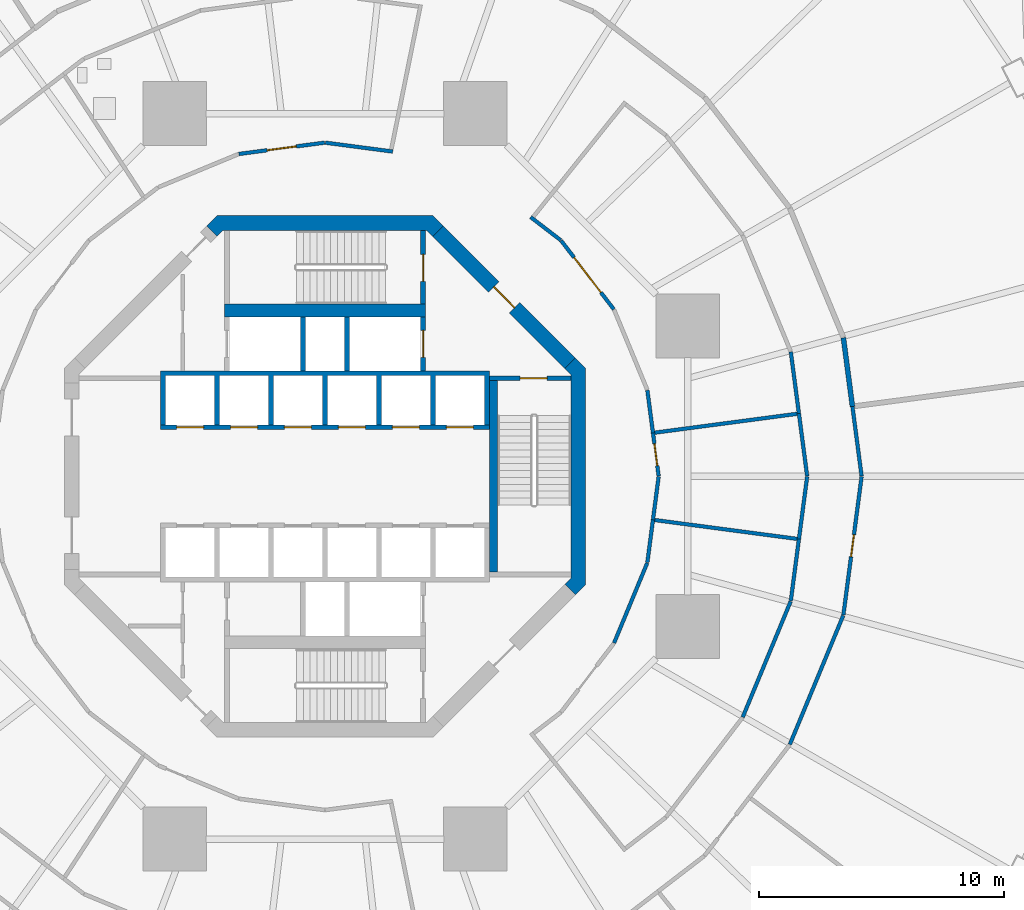
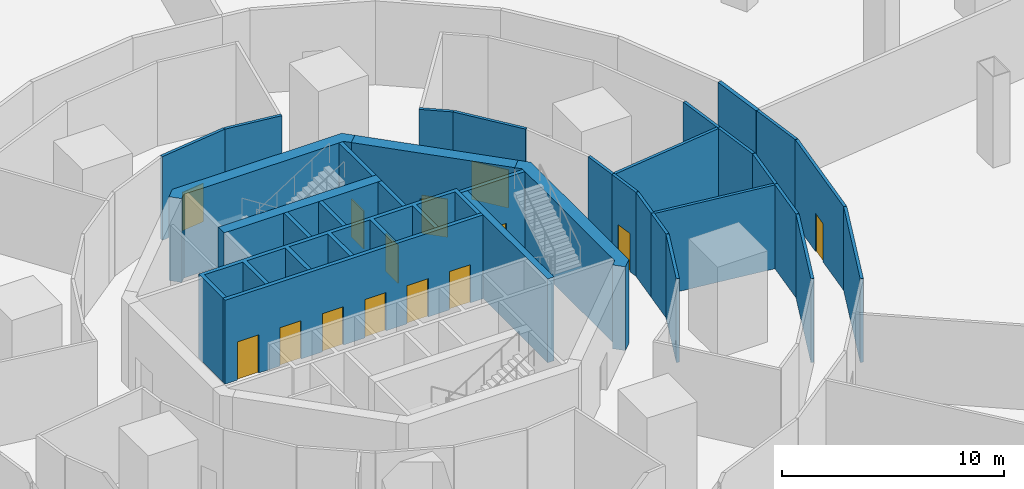
# One storey, part 9 of 14: 32 walls, 14 doors, 14 openings.
"""IFC4 building model written with IfcOpenShell, lengths in metres."""

from ifc_helpers import new_model, si_unit, direction, frame, frame_2d, origin, place, context, subcontext, project, spatial, polyline, rectangle, outline, extrude, material, layer, layer_set, type_object, element, fill, save


model = new_model("IFC4")

# Units and contexts
model_context = context("Model", 3, precision=1e-05, world=origin(), true_north=direction((0.0, 1.0)))
body_context = subcontext(model_context, "Body", "Model", "MODEL_VIEW")
ifc_project = project(units=[si_unit("LENGTHUNIT", "METRE"), si_unit("AREAUNIT", "SQUARE_METRE"), si_unit("VOLUMEUNIT", "CUBIC_METRE"), si_unit("PLANEANGLEUNIT", "RADIAN"), si_unit("MASSUNIT", "GRAM", prefix="KILO")], contexts=[model_context])

# Site, building, storey
site_placement = place(None, origin())
site = spatial("IfcSite", under=ifc_project, at=site_placement, CompositionType="ELEMENT")
building_placement = place(site_placement, origin())
building = spatial("IfcBuilding", under=site, at=building_placement, Name="Nagisa Residences", CompositionType="ELEMENT")
storey_placement = place(building_placement, frame((0.0, 0.0, -5.0)))
storey = spatial("IfcBuildingStorey", under=building, at=storey_placement, Name="B1", CompositionType="ELEMENT", Elevation=-5.0)

# Wall, opening, door
ifc_material_1 = material(Name="Concrete C60", Category="concrete")
ifc_layer_1 = layer(ifc_material_1, 0.60009765625)
ifc_layer_set_1 = layer_set([ifc_layer_1], Name="Core shear wall 600")
wall_type_1 = type_object("IfcWallType", Name="Core shear wall 600", PredefinedType="SHEAR", material=ifc_layer_set_1)
wall_1_placement = place(storey_placement, frame((9.98828125, 4.613037109375, 0.0), z_axis=(0.0, 0.0, 1.0), x_axis=(-0.707106781187, 0.707106781187, 0.0)))
wall_1 = element("IfcWall", 1, at=wall_1_placement, inside=storey, type_object=wall_type_1, Name="wall:B1:core:flat1", PredefinedType="SHEAR", context=body_context, shape_type="SweptSolid", body=[
    extrude(rectangle(XDim=7.601806640625, YDim=0.60009765625, at=frame_2d((3.80078125, 0.0))), origin(), (0.0, 0.0, 1.0), 4.60009765625),
])
opening_1_placement = place(wall_1_placement, frame((3.200927734375, 0.0, 0.0)))
opening_1 = element("IfcOpeningElement", 2, at=opening_1_placement, cuts=wall_1, Name="Opening B1-C23", PredefinedType="OPENING", context=body_context, shape_type="SweptSolid", body=[
    extrude(rectangle(XDim=1.199951171875, YDim=2.10009765625, at=frame_2d((0.60009765625, 1.050048828125))), frame((0.0, 0.31005859375, 0.0), z_axis=(0.0, -1.0, 0.0), x_axis=(1.0, 0.0, 0.0)), (0.0, 0.0, 1.0), 0.6201171875),
])
ifc_material_2 = material(Name="Steel fire door", Category="steel")
door_type_1 = type_object("IfcDoorType", Name="Fire door EI60 1200x2100 single swing", OperationType="NOTDEFINED", PredefinedType="DOOR", material=ifc_material_2)
door_1_placement = place(opening_1_placement, origin())
door_1 = element("IfcDoor", 3, at=door_1_placement, inside=storey, type_object=door_type_1, Name="Firefighting lobby 1 door B1", OperationType="SINGLE_SWING_RIGHT", OverallHeight=2.10009765625, OverallWidth=1.199951171875, PredefinedType="DOOR", context=body_context, shape_type="SweptSolid", body=[
    extrude(rectangle(XDim=1.199951171875, YDim=2.10009765625, at=frame_2d((0.60009765625, 1.050048828125))), frame((0.0, 0.02490234375, 0.0), z_axis=(0.0, -1.0, 0.0), x_axis=(1.0, 0.0, 0.0)), (0.0, 0.0, 1.0), 0.050048828125),
])
fill(opening_1, door_1)

# Walls
wall_2_placement = place(storey_placement, origin())
element("IfcWall", 4, at=wall_2_placement, inside=storey, type_object=wall_type_1, Name="wall:B1:core:flat2", PredefinedType="SHEAR", context=body_context, shape_type="SweptSolid", body=[
    extrude(outline(polyline([(-4.15234375, 10.024658203125), (-4.40087890625, 9.776123046875), (-4.8251953125, 10.200439453125), (-4.40087890625, 10.62451171875), (4.40087890625, 10.62451171875), (4.8251953125, 10.200439453125), (4.40087890625, 9.776123046875), (4.15234375, 10.024658203125), (-4.15234375, 10.024658203125)])), origin(), (0.0, 0.0, 1.0), 4.60009765625),
])
wall_3_placement = place(storey_placement, origin())
element("IfcWall", 5, at=wall_3_placement, inside=storey, type_object=wall_type_1, Name="wall:B1:core:flat0", PredefinedType="SHEAR", context=body_context, shape_type="SweptSolid", body=[
    extrude(outline(polyline([(9.776123046875, -4.40087890625), (10.024658203125, -4.15234375), (10.024658203125, -3.801025390625), (10.024658203125, 4.15234375), (9.776123046875, 4.40087890625), (10.200439453125, 4.8251953125), (10.62451171875, 4.40087890625), (10.62451171875, -4.40087890625), (10.200439453125, -4.8251953125), (9.776123046875, -4.40087890625)])), origin(), (0.0, 0.0, 1.0), 4.60009765625),
])

# Wall, opening, door
ifc_material_3 = material(Name="Concrete C60", Category="concrete")
ifc_layer_2 = layer(ifc_material_3, 0.199951171875)
ifc_layer_set_2 = layer_set([ifc_layer_2], Name="Lift shaft wall 200")
wall_type_2 = type_object("IfcWallType", Name="Lift shaft wall 200", PredefinedType="SOLIDWALL", material=ifc_layer_set_2)
wall_4_placement = place(storey_placement, frame((4.0, 4.300048828125, 0.0), z_axis=(0.0, 0.0, 1.0), x_axis=(0.0, 1.0, 0.0)))
wall_4 = element("IfcWall", 6, at=wall_4_placement, inside=storey, type_object=wall_type_2, Name="wall:B1:Nb3", PredefinedType="SOLIDWALL", context=body_context, shape_type="SweptSolid", body=[
    extrude(rectangle(XDim=2.199951171875, YDim=0.199951171875, at=frame_2d((1.10009765625, 0.0))), origin(), (0.0, 0.0, 1.0), 4.60009765625),
])
opening_2_placement = place(wall_4_placement, frame((0.550048828125, 0.0, 0.0)))
opening_2 = element("IfcOpeningElement", 7, at=opening_2_placement, cuts=wall_4, Name="Opening B1-C13", PredefinedType="OPENING", context=body_context, shape_type="SweptSolid", body=[
    extrude(rectangle(XDim=1.10009765625, YDim=2.10009765625, at=frame_2d((0.550048828125, 1.050048828125))), frame((0.0, 0.10986328125, 0.0), z_axis=(0.0, -1.0, 0.0), x_axis=(1.0, 0.0, 0.0)), (0.0, 0.0, 1.0), 0.219970703125),
])
ifc_material_4 = material(Name="Stainless steel", Category="steel")
door_type_2 = type_object("IfcDoorType", Name="Lift landing door 1100x2100", OperationType="DOUBLE_DOOR_SLIDING", PredefinedType="DOOR", material=ifc_material_4)
door_2_placement = place(opening_2_placement, origin())
door_2 = element("IfcDoor", 8, at=door_2_placement, inside=storey, type_object=door_type_2, Name="Landing door FL1 B1", OperationType="DOUBLE_DOOR_SLIDING", OverallHeight=2.10009765625, OverallWidth=1.10009765625, PredefinedType="DOOR", context=body_context, shape_type="SweptSolid", body=[
    extrude(rectangle(XDim=1.10009765625, YDim=2.10009765625, at=frame_2d((0.550048828125, 1.050048828125))), frame((0.0, 0.02490234375, 0.0), z_axis=(0.0, -1.0, 0.0), x_axis=(1.0, 0.0, 0.0)), (0.0, 0.0, 1.0), 0.050048828125),
])
fill(opening_2, door_2)

# Wall, openings, doors
wall_5_placement = place(storey_placement, frame((-6.699951171875, 2.0, 0.0), z_axis=(0.0, 0.0, 1.0), x_axis=(1.0, 0.0, 0.0)))
wall_5 = element("IfcWall", 9, at=wall_5_placement, inside=storey, type_object=wall_type_2, Name="wall:B1:Nfront", PredefinedType="SOLIDWALL", context=body_context, shape_type="SweptSolid", body=[
    extrude(rectangle(XDim=13.39990234375, YDim=0.199951171875, at=frame_2d((6.699951171875, 0.0))), origin(), (0.0, 0.0, 1.0), 4.60009765625),
])
opening_3_placement = place(wall_5_placement, frame((0.64990234375, 0.0, 0.0)))
opening_3 = element("IfcOpeningElement", 10, at=opening_3_placement, cuts=wall_5, Name="Opening B1-C01", PredefinedType="OPENING", context=body_context, shape_type="SweptSolid", body=[
    extrude(rectangle(XDim=1.10009765625, YDim=2.10009765625, at=frame_2d((0.550048828125, 1.050048828125))), frame((0.0, 0.10986328125, 0.0), z_axis=(0.0, -1.0, 0.0), x_axis=(1.0, 0.0, 0.0)), (0.0, 0.0, 1.0), 0.219970703125),
])
opening_4_placement = place(wall_5_placement, frame((2.85009765625, 0.0, 0.0)))
opening_4 = element("IfcOpeningElement", 11, at=opening_4_placement, cuts=wall_5, Name="Opening B1-C02", PredefinedType="OPENING", context=body_context, shape_type="SweptSolid", body=[
    extrude(rectangle(XDim=1.10009765625, YDim=2.10009765625, at=frame_2d((0.550048828125, 1.050048828125))), frame((0.0, 0.10986328125, 0.0), z_axis=(0.0, -1.0, 0.0), x_axis=(1.0, 0.0, 0.0)), (0.0, 0.0, 1.0), 0.219970703125),
])
opening_5_placement = place(wall_5_placement, frame((5.050048828125, 0.0, 0.0)))
opening_5 = element("IfcOpeningElement", 12, at=opening_5_placement, cuts=wall_5, Name="Opening B1-C03", PredefinedType="OPENING", context=body_context, shape_type="SweptSolid", body=[
    extrude(rectangle(XDim=1.10009765625, YDim=2.10009765625, at=frame_2d((0.550048828125, 1.050048828125))), frame((0.0, 0.10986328125, 0.0), z_axis=(0.0, -1.0, 0.0), x_axis=(1.0, 0.0, 0.0)), (0.0, 0.0, 1.0), 0.219970703125),
])
opening_6_placement = place(wall_5_placement, frame((7.25, 0.0, 0.0)))
opening_6 = element("IfcOpeningElement", 13, at=opening_6_placement, cuts=wall_5, Name="Opening B1-C04", PredefinedType="OPENING", context=body_context, shape_type="SweptSolid", body=[
    extrude(rectangle(XDim=1.10009765625, YDim=2.10009765625, at=frame_2d((0.550048828125, 1.050048828125))), frame((0.0, 0.10986328125, 0.0), z_axis=(0.0, -1.0, 0.0), x_axis=(1.0, 0.0, 0.0)), (0.0, 0.0, 1.0), 0.219970703125),
])
opening_7_placement = place(wall_5_placement, frame((9.449951171875, 0.0, 0.0)))
opening_7 = element("IfcOpeningElement", 14, at=opening_7_placement, cuts=wall_5, Name="Opening B1-C05", PredefinedType="OPENING", context=body_context, shape_type="SweptSolid", body=[
    extrude(rectangle(XDim=1.10009765625, YDim=2.10009765625, at=frame_2d((0.550048828125, 1.050048828125))), frame((0.0, 0.10986328125, 0.0), z_axis=(0.0, -1.0, 0.0), x_axis=(1.0, 0.0, 0.0)), (0.0, 0.0, 1.0), 0.219970703125),
])
opening_8_placement = place(wall_5_placement, frame((11.64990234375, 0.0, 0.0)))
opening_8 = element("IfcOpeningElement", 15, at=opening_8_placement, cuts=wall_5, Name="Opening B1-C06", PredefinedType="OPENING", context=body_context, shape_type="SweptSolid", body=[
    extrude(rectangle(XDim=1.10009765625, YDim=2.10009765625, at=frame_2d((0.550048828125, 1.050048828125))), frame((0.0, 0.10986328125, 0.0), z_axis=(0.0, -1.0, 0.0), x_axis=(1.0, 0.0, 0.0)), (0.0, 0.0, 1.0), 0.219970703125),
])
door_3_placement = place(opening_3_placement, origin())
door_3 = element("IfcDoor", 16, at=door_3_placement, inside=storey, type_object=door_type_2, Name="Landing door A1 B1", OperationType="DOUBLE_DOOR_SLIDING", OverallHeight=2.10009765625, OverallWidth=1.10009765625, PredefinedType="DOOR", context=body_context, shape_type="SweptSolid", body=[
    extrude(rectangle(XDim=1.10009765625, YDim=2.10009765625, at=frame_2d((0.550048828125, 1.050048828125))), frame((0.0, 0.02490234375, 0.0), z_axis=(0.0, -1.0, 0.0), x_axis=(1.0, 0.0, 0.0)), (0.0, 0.0, 1.0), 0.050048828125),
])
fill(opening_3, door_3)
door_4_placement = place(opening_4_placement, origin())
door_4 = element("IfcDoor", 17, at=door_4_placement, inside=storey, type_object=door_type_2, Name="Landing door A2 B1", OperationType="DOUBLE_DOOR_SLIDING", OverallHeight=2.10009765625, OverallWidth=1.10009765625, PredefinedType="DOOR", context=body_context, shape_type="SweptSolid", body=[
    extrude(rectangle(XDim=1.10009765625, YDim=2.10009765625, at=frame_2d((0.550048828125, 1.050048828125))), frame((0.0, 0.02490234375, 0.0), z_axis=(0.0, -1.0, 0.0), x_axis=(1.0, 0.0, 0.0)), (0.0, 0.0, 1.0), 0.050048828125),
])
fill(opening_4, door_4)
door_5_placement = place(opening_5_placement, origin())
door_5 = element("IfcDoor", 18, at=door_5_placement, inside=storey, type_object=door_type_2, Name="Landing door A3 B1", OperationType="DOUBLE_DOOR_SLIDING", OverallHeight=2.10009765625, OverallWidth=1.10009765625, PredefinedType="DOOR", context=body_context, shape_type="SweptSolid", body=[
    extrude(rectangle(XDim=1.10009765625, YDim=2.10009765625, at=frame_2d((0.550048828125, 1.050048828125))), frame((0.0, 0.02490234375, 0.0), z_axis=(0.0, -1.0, 0.0), x_axis=(1.0, 0.0, 0.0)), (0.0, 0.0, 1.0), 0.050048828125),
])
fill(opening_5, door_5)
door_6_placement = place(opening_6_placement, origin())
door_6 = element("IfcDoor", 19, at=door_6_placement, inside=storey, type_object=door_type_2, Name="Landing door B1 B1", OperationType="DOUBLE_DOOR_SLIDING", OverallHeight=2.10009765625, OverallWidth=1.10009765625, PredefinedType="DOOR", context=body_context, shape_type="SweptSolid", body=[
    extrude(rectangle(XDim=1.10009765625, YDim=2.10009765625, at=frame_2d((0.550048828125, 1.050048828125))), frame((0.0, 0.02490234375, 0.0), z_axis=(0.0, -1.0, 0.0), x_axis=(1.0, 0.0, 0.0)), (0.0, 0.0, 1.0), 0.050048828125),
])
fill(opening_6, door_6)
door_7_placement = place(opening_7_placement, origin())
door_7 = element("IfcDoor", 20, at=door_7_placement, inside=storey, type_object=door_type_2, Name="Landing door B2 B1", OperationType="DOUBLE_DOOR_SLIDING", OverallHeight=2.10009765625, OverallWidth=1.10009765625, PredefinedType="DOOR", context=body_context, shape_type="SweptSolid", body=[
    extrude(rectangle(XDim=1.10009765625, YDim=2.10009765625, at=frame_2d((0.550048828125, 1.050048828125))), frame((0.0, 0.02490234375, 0.0), z_axis=(0.0, -1.0, 0.0), x_axis=(1.0, 0.0, 0.0)), (0.0, 0.0, 1.0), 0.050048828125),
])
fill(opening_7, door_7)
door_8_placement = place(opening_8_placement, origin())
door_8 = element("IfcDoor", 21, at=door_8_placement, inside=storey, type_object=door_type_2, Name="Landing door C1 B1", OperationType="DOUBLE_DOOR_SLIDING", OverallHeight=2.10009765625, OverallWidth=1.10009765625, PredefinedType="DOOR", context=body_context, shape_type="SweptSolid", body=[
    extrude(rectangle(XDim=1.10009765625, YDim=2.10009765625, at=frame_2d((0.550048828125, 1.050048828125))), frame((0.0, 0.02490234375, 0.0), z_axis=(0.0, -1.0, 0.0), x_axis=(1.0, 0.0, 0.0)), (0.0, 0.0, 1.0), 0.050048828125),
])
fill(opening_8, door_8)

# Walls
for number, where, z_axis, x_axis, name in (
    (22, (-0.89990234375, 4.300048828125, 0.0), (0.0, 0.0, 1.0), (0.0, 1.0, 0.0), "wall:B1:Nb1"),
    (23, (0.89990234375, 4.300048828125, 0.0), (0.0, 0.0, 1.0), (0.0, 1.0, 0.0), "wall:B1:Nb2"),
):
    element("IfcWall", number, at=place(storey_placement, frame(where, z_axis=z_axis, x_axis=x_axis)), inside=storey, type_object=wall_type_2, Name=name, PredefinedType="SOLIDWALL", context=body_context, shape_type="SweptSolid", body=[
        extrude(rectangle(XDim=2.199951171875, YDim=0.199951171875, at=frame_2d((1.10009765625, 0.0))), origin(), (0.0, 0.0, 1.0), 4.60009765625),
    ])
wall_6_placement = place(storey_placement, origin())
element("IfcWall", 24, at=wall_6_placement, inside=storey, type_object=wall_type_2, Name="wall:B1:Nback", PredefinedType="SOLIDWALL", context=body_context, shape_type="SweptSolid", body=[
    extrude(outline(polyline([(-6.5, 2.10009765625), (-6.699951171875, 2.10009765625), (-6.699951171875, 4.300048828125), (6.699951171875, 4.300048828125), (6.699951171875, 2.10009765625), (6.5, 2.10009765625), (6.5, 4.10009765625), (4.5, 4.10009765625), (4.5, 2.10009765625), (4.300048828125, 2.10009765625), (4.300048828125, 4.10009765625), (2.300048828125, 4.10009765625), (2.300048828125, 2.10009765625), (2.10009765625, 2.10009765625), (2.10009765625, 4.10009765625), (0.10009765625, 4.10009765625), (0.10009765625, 2.10009765625), (-0.10009765625, 2.10009765625), (-0.10009765625, 4.10009765625), (-2.10009765625, 4.10009765625), (-2.10009765625, 2.10009765625), (-2.300048828125, 2.10009765625), (-2.300048828125, 4.10009765625), (-4.300048828125, 4.10009765625), (-4.300048828125, 2.10009765625), (-4.5, 2.10009765625), (-4.5, 4.10009765625), (-6.5, 4.10009765625), (-6.5, 2.10009765625)])), origin(), (0.0, 0.0, 1.0), 4.60009765625),
])
ifc_material_5 = material(Name="Gypsum board on steel studs", Category="steel")
ifc_layer_3 = layer(ifc_material_5, 0.199951171875)
ifc_layer_set_3 = layer_set([ifc_layer_3], Name="Plant room wall EI120 200")
wall_type_3 = type_object("IfcWallType", Name="Plant room wall EI120 200", PredefinedType="PARTITIONING", material=ifc_layer_set_3)
wall_7_placement = place(storey_placement, frame((21.12744140625, 5.6455078125, 0.0), z_axis=(0.0, 0.0, 1.0), x_axis=(0.130526113373, -0.991444871754, 0.0)))
element("IfcWall", 25, at=wall_7_placement, inside=storey, type_object=wall_type_3, Name="wall:B1:am098", PredefinedType="PARTITIONING", context=body_context, shape_type="SweptSolid", body=[
    extrude(rectangle(XDim=2.822509765625, YDim=0.199951171875, at=frame_2d((1.4111328125, 0.0))), origin(), (0.0, 0.0, 1.0), 4.60009765625),
])

# Wall, opening, door
ifc_material_6 = material(Name="Gypsum board on steel studs", Category="steel")
ifc_layer_4 = layer(ifc_material_6, 0.14990234375)
ifc_layer_set_4 = layer_set([ifc_layer_4], Name="Room partition EI60 150")
wall_type_4 = type_object("IfcWallType", Name="Room partition EI60 150", PredefinedType="PARTITIONING", material=ifc_layer_set_4)
wall_8_placement = place(storey_placement, frame((-3.508056640625, 13.13818359375, 0.0), z_axis=(0.0, 0.0, 1.0), x_axis=(0.991448403586, 0.130499283623, 0.0)))
wall_8 = element("IfcWall", 26, at=wall_8_placement, inside=storey, type_object=wall_type_4, Name="wall:B1:am042", PredefinedType="PARTITIONING", context=body_context, shape_type="SweptSolid", body=[
    extrude(rectangle(XDim=3.526611328125, YDim=0.14990234375, at=frame_2d((1.76318359375, 0.0))), origin(), (0.0, 0.0, 1.0), 4.60009765625),
])
opening_9_placement = place(wall_8_placement, frame((1.163330078125, 0.0, 0.0)))
opening_9 = element("IfcOpeningElement", 27, at=opening_9_placement, cuts=wall_8, Name="Opening B1-A02", PredefinedType="OPENING", context=body_context, shape_type="SweptSolid", body=[
    extrude(rectangle(XDim=1.199951171875, YDim=2.10009765625, at=frame_2d((0.60009765625, 1.050048828125))), frame((0.0, 0.0849609375, 0.0), z_axis=(0.0, -1.0, 0.0), x_axis=(1.0, 0.0, 0.0)), (0.0, 0.0, 1.0), 0.169921875),
])
ifc_material_7 = material(Name="Steel fire door", Category="steel")
door_type_3 = type_object("IfcDoorType", Name="Fire door EI30 1200x2100 single swing", OperationType="NOTDEFINED", PredefinedType="DOOR", material=ifc_material_7)
door_9_placement = place(opening_9_placement, frame((1.199951171875, 0.0, 0.0), x_axis=(-1.0, 0.0, 0.0)))
door_9 = element("IfcDoor", 28, at=door_9_placement, inside=storey, type_object=door_type_3, Name="Women's changing rooms door", OperationType="SINGLE_SWING_RIGHT", OverallHeight=2.10009765625, OverallWidth=1.199951171875, PredefinedType="DOOR", context=body_context, shape_type="SweptSolid", body=[
    extrude(rectangle(XDim=1.199951171875, YDim=2.10009765625, at=frame_2d((0.60009765625, 1.050048828125))), frame((0.0, 0.02490234375, 0.0), z_axis=(0.0, -1.0, 0.0), x_axis=(1.0, 0.0, 0.0)), (0.0, 0.0, 1.0), 0.050048828125),
])
fill(opening_9, door_9)

# Walls
wall_9_placement = place(storey_placement, frame((0.01171875, 13.598388671875, 0.0), z_axis=(0.0, 0.0, 1.0), x_axis=(0.991448603925, -0.130497761571, 0.0)))
element("IfcWall", 29, at=wall_9_placement, inside=storey, type_object=wall_type_4, Name="wall:B1:am046", PredefinedType="PARTITIONING", context=body_context, shape_type="SweptSolid", body=[
    extrude(rectangle(XDim=2.7744140625, YDim=0.14990234375, at=frame_2d((1.38720703125, 0.0))), origin(), (0.0, 0.0, 1.0), 4.60009765625),
])
wall_10_placement = place(storey_placement, frame((8.38232421875, 10.563720703125, 0.0), z_axis=(0.0, 0.0, 1.0), x_axis=(0.793405235736, -0.608693791578, 0.0)))
element("IfcWall", 30, at=wall_10_placement, inside=storey, type_object=wall_type_4, Name="wall:B1:am054", PredefinedType="PARTITIONING", context=body_context, shape_type="SweptSolid", body=[
    extrude(rectangle(XDim=1.543701171875, YDim=0.14990234375, at=frame_2d((0.77197265625, 0.0))), origin(), (0.0, 0.0, 1.0), 4.60009765625),
])

# Wall, opening, door
wall_11_placement = place(storey_placement, frame((9.6240234375, 9.607177734375, 0.0), z_axis=(0.0, 0.0, 1.0), x_axis=(0.608736710054, -0.793372307201, 0.0)))
wall_11 = element("IfcWall", 31, at=wall_11_placement, inside=storey, type_object=wall_type_4, Name="wall:B1:am056", PredefinedType="PARTITIONING", context=body_context, shape_type="SweptSolid", body=[
    extrude(rectangle(XDim=3.526611328125, YDim=0.14990234375, at=frame_2d((1.76318359375, 0.0))), origin(), (0.0, 0.0, 1.0), 4.60009765625),
])
opening_10_placement = place(wall_11_placement, frame((0.86328125, 0.0, 0.0)))
opening_10 = element("IfcOpeningElement", 32, at=opening_10_placement, cuts=wall_11, Name="Opening B1-A01", PredefinedType="OPENING", context=body_context, shape_type="SweptSolid", body=[
    extrude(rectangle(XDim=1.800048828125, YDim=2.10009765625, at=frame_2d((0.89990234375, 1.050048828125))), frame((0.0, 0.0849609375, 0.0), z_axis=(0.0, -1.0, 0.0), x_axis=(1.0, 0.0, 0.0)), (0.0, 0.0, 1.0), 0.169921875),
])
ifc_material_8 = material(Name="Steel fire door", Category="steel")
door_type_4 = type_object("IfcDoorType", Name="Fire door EI30 1800x2100 double door single swing", OperationType="DOUBLE_DOOR_SINGLE_SWING", PredefinedType="DOOR", material=ifc_material_8)
door_10_placement = place(opening_10_placement, origin())
door_10 = element("IfcDoor", 33, at=door_10_placement, inside=storey, type_object=door_type_4, Name="Hydrotherapy suite door", OperationType="DOUBLE_DOOR_SINGLE_SWING", OverallHeight=2.10009765625, OverallWidth=1.800048828125, PredefinedType="DOOR", context=body_context, shape_type="SweptSolid", body=[
    extrude(rectangle(XDim=1.800048828125, YDim=2.10009765625, at=frame_2d((0.89990234375, 1.050048828125))), frame((0.0, 0.02490234375, 0.0), z_axis=(0.0, -1.0, 0.0), x_axis=(1.0, 0.0, 0.0)), (0.0, 0.0, 1.0), 0.050048828125),
])
fill(opening_10, door_10)

# Walls
wall_12_placement = place(storey_placement, frame((13.132080078125, -3.53076171875, 0.0), z_axis=(0.0, 0.0, 1.0), x_axis=(-0.382677866108, -0.923881838111, 0.0)))
element("IfcWall", 34, at=wall_12_placement, inside=storey, type_object=wall_type_4, Name="wall:B1:am062", PredefinedType="PARTITIONING", context=body_context, shape_type="SweptSolid", body=[
    extrude(rectangle(XDim=3.52685546875, YDim=0.14990234375, at=frame_2d((1.763427734375, 0.0))), origin(), (0.0, 0.0, 1.0), 4.60009765625),
])
for number, where, z_axis, x_axis, name in (
    (35, (13.13818359375, 3.508056640625, 0.0), (0.0, 0.0, 1.0), (0.130530187198, -0.991444335417, 0.0), "wall:B1:am063"),
    (36, (13.366943359375, -1.7705078125, 0.0), (0.0, 0.0, 1.0), (-0.130530187198, -0.991444335417, 0.0), "wall:B1:am064"),
):
    element("IfcWall", number, at=place(storey_placement, frame(where, z_axis=z_axis, x_axis=x_axis)), inside=storey, type_object=wall_type_4, Name=name, PredefinedType="PARTITIONING", context=body_context, shape_type="SweptSolid", body=[
        extrude(rectangle(XDim=1.75244140625, YDim=0.14990234375, at=frame_2d((0.876220703125, 0.0))), origin(), (0.0, 0.0, 1.0), 4.60009765625),
    ])
wall_13_placement = place(storey_placement, frame((13.441162109375, -1.7802734375, 0.0), z_axis=(0.0, 0.0, 1.0), x_axis=(0.991338713347, -0.13132994868, 0.0)))
element("IfcWall", 37, at=wall_13_placement, inside=storey, type_object=wall_type_4, Name="wall:B1:am065", PredefinedType="PARTITIONING", context=body_context, shape_type="SweptSolid", body=[
    extrude(rectangle(XDim=5.850341796875, YDim=0.14990234375, at=frame_2d((2.92529296875, 0.0))), origin(), (0.0, 0.0, 1.0), 4.60009765625),
])

# Wall, opening, door
wall_14_placement = place(storey_placement, frame((13.366943359375, 1.7705078125, 0.0), z_axis=(0.0, 0.0, 1.0), x_axis=(0.130468752885, -0.991452421713, 0.0)))
wall_14 = element("IfcWall", 38, at=wall_14_placement, inside=storey, type_object=wall_type_4, Name="wall:B1:am066", PredefinedType="PARTITIONING", context=body_context, shape_type="SweptSolid", body=[
    extrude(rectangle(XDim=1.77392578125, YDim=0.14990234375, at=frame_2d((0.886962890625, 0.0))), origin(), (0.0, 0.0, 1.0), 4.60009765625),
])
opening_11_placement = place(wall_14_placement, frame((0.44287109375, 0.0, 0.0)))
opening_11 = element("IfcOpeningElement", 39, at=opening_11_placement, cuts=wall_14, Name="Opening B1-A07", PredefinedType="OPENING", context=body_context, shape_type="SweptSolid", body=[
    extrude(rectangle(XDim=0.89990234375, YDim=2.10009765625, at=frame_2d((0.449951171875, 1.050048828125))), frame((0.0, 0.0849609375, 0.0), z_axis=(0.0, -1.0, 0.0), x_axis=(1.0, 0.0, 0.0)), (0.0, 0.0, 1.0), 0.169921875),
])
ifc_material_9 = material(Name="Steel fire door", Category="steel")
door_type_5 = type_object("IfcDoorType", Name="Fire door EI30 900x2100 single swing", OperationType="NOTDEFINED", PredefinedType="DOOR", material=ifc_material_9)
door_11_placement = place(opening_11_placement, origin())
door_11 = element("IfcDoor", 40, at=door_11_placement, inside=storey, type_object=door_type_5, Name="Therapist staff room door", OperationType="SINGLE_SWING_RIGHT", OverallHeight=2.10009765625, OverallWidth=0.89990234375, PredefinedType="DOOR", context=body_context, shape_type="SweptSolid", body=[
    extrude(rectangle(XDim=0.89990234375, YDim=2.10009765625, at=frame_2d((0.449951171875, 1.050048828125))), frame((0.0, 0.02490234375, 0.0), z_axis=(0.0, -1.0, 0.0), x_axis=(1.0, 0.0, 0.0)), (0.0, 0.0, 1.0), 0.050048828125),
])
fill(opening_11, door_11)

# Walls
wall_15_placement = place(storey_placement, frame((13.598388671875, -0.01171875, 0.0), z_axis=(0.0, 0.0, 1.0), x_axis=(-0.130468752885, -0.991452421713, 0.0)))
element("IfcWall", 41, at=wall_15_placement, inside=storey, type_object=wall_type_4, Name="wall:B1:am069", PredefinedType="PARTITIONING", context=body_context, shape_type="SweptSolid", body=[
    extrude(rectangle(XDim=1.77392578125, YDim=0.14990234375, at=frame_2d((0.886962890625, 0.0))), origin(), (0.0, 0.0, 1.0), 4.60009765625),
])
wall_16_placement = place(storey_placement, frame((17.0234375, -9.81494140625, 0.0), z_axis=(0.0, 0.0, 1.0), x_axis=(0.382672704618, 0.923883976017, 0.0)))
element("IfcWall", 42, at=wall_16_placement, inside=storey, type_object=wall_type_4, Name="wall:B1:am073", PredefinedType="PARTITIONING", context=body_context, shape_type="SweptSolid", body=[
    extrude(rectangle(XDim=5.1064453125, YDim=0.14990234375, at=frame_2d((2.55322265625, 0.0))), origin(), (0.0, 0.0, 1.0), 4.60009765625),
])
wall_17_placement = place(storey_placement, frame((18.983642578125, -5.074462890625, 0.0), z_axis=(0.0, 0.0, 1.0), x_axis=(0.130544098359, 0.991442503821, 0.0)))
element("IfcWall", 43, at=wall_17_placement, inside=storey, type_object=wall_type_4, Name="wall:B1:am078", PredefinedType="PARTITIONING", context=body_context, shape_type="SweptSolid", body=[
    extrude(rectangle(XDim=2.537841796875, YDim=0.14990234375, at=frame_2d((1.26904296875, 0.0))), origin(), (0.0, 0.0, 1.0), 4.60009765625),
])
wall_18_placement = place(storey_placement, frame((19.31494140625, -2.558349609375, 0.0), z_axis=(0.0, 0.0, 1.0), x_axis=(0.130501227761, 0.991448147687, 0.0)))
element("IfcWall", 44, at=wall_18_placement, inside=storey, type_object=wall_type_4, Name="wall:B1:am080", PredefinedType="PARTITIONING", context=body_context, shape_type="SweptSolid", body=[
    extrude(rectangle(XDim=2.568603515625, YDim=0.14990234375, at=frame_2d((1.2841796875, 0.0))), origin(), (0.0, 0.0, 1.0), 4.60009765625),
])
wall_19_placement = place(storey_placement, frame((19.24072265625, 2.548583984375, 0.0), z_axis=(0.0, 0.0, 1.0), x_axis=(-0.991338713347, -0.13132994868, 0.0)))
element("IfcWall", 45, at=wall_19_placement, inside=storey, type_object=wall_type_4, Name="wall:B1:am081", PredefinedType="PARTITIONING", context=body_context, shape_type="SweptSolid", body=[
    extrude(rectangle(XDim=5.850341796875, YDim=0.14990234375, at=frame_2d((2.92529296875, 0.0))), origin(), (0.0, 0.0, 1.0), 4.60009765625),
])
wall_20_placement = place(storey_placement, frame((19.31494140625, 2.558349609375, 0.0), z_axis=(0.0, 0.0, 1.0), x_axis=(-0.130544098359, 0.991442503821, 0.0)))
element("IfcWall", 46, at=wall_20_placement, inside=storey, type_object=wall_type_4, Name="wall:B1:am082", PredefinedType="PARTITIONING", context=body_context, shape_type="SweptSolid", body=[
    extrude(rectangle(XDim=2.537841796875, YDim=0.14990234375, at=frame_2d((1.26904296875, 0.0))), origin(), (0.0, 0.0, 1.0), 4.60009765625),
])
wall_21_placement = place(storey_placement, frame((19.650146484375, 0.01171875, 0.0), z_axis=(0.0, 0.0, 1.0), x_axis=(-0.130501227761, 0.991448147687, 0.0)))
element("IfcWall", 47, at=wall_21_placement, inside=storey, type_object=wall_type_4, Name="wall:B1:am083", PredefinedType="PARTITIONING", context=body_context, shape_type="SweptSolid", body=[
    extrude(rectangle(XDim=2.568603515625, YDim=0.14990234375, at=frame_2d((1.2841796875, 0.0))), origin(), (0.0, 0.0, 1.0), 4.60009765625),
])
wall_22_placement = place(storey_placement, frame((21.120849609375, -5.671630859375, 0.0), z_axis=(0.0, 0.0, 1.0), x_axis=(-0.38269058712, -0.923876568882, 0.0)))
element("IfcWall", 48, at=wall_22_placement, inside=storey, type_object=wall_type_4, Name="wall:B1:am084", PredefinedType="PARTITIONING", context=body_context, shape_type="SweptSolid", body=[
    extrude(rectangle(XDim=5.685546875, YDim=0.14990234375, at=frame_2d((2.8427734375, 0.0))), origin(), (0.0, 0.0, 1.0), 4.60009765625),
])
wall_23_placement = place(storey_placement, frame((21.495849609375, 2.84716796875, 0.0), z_axis=(0.0, 0.0, 1.0), x_axis=(0.130525176299, -0.991444995122, 0.0)))
element("IfcWall", 49, at=wall_23_placement, inside=storey, type_object=wall_type_4, Name="wall:B1:am085", PredefinedType="PARTITIONING", context=body_context, shape_type="SweptSolid", body=[
    extrude(rectangle(XDim=2.85986328125, YDim=0.14990234375, at=frame_2d((1.429931640625, 0.0))), origin(), (0.0, 0.0, 1.0), 4.60009765625),
])

# Wall, opening, door
wall_24_placement = place(storey_placement, frame((21.869140625, -0.01171875, 0.0), z_axis=(0.0, 0.0, 1.0), x_axis=(-0.130532262837, -0.991444062143, 0.0)))
wall_24 = element("IfcWall", 50, at=wall_24_placement, inside=storey, type_object=wall_type_4, Name="wall:B1:am086", PredefinedType="PARTITIONING", context=body_context, shape_type="SweptSolid", body=[
    extrude(rectangle(XDim=5.685791015625, YDim=0.14990234375, at=frame_2d((2.8427734375, 0.0))), origin(), (0.0, 0.0, 1.0), 4.60009765625),
])
opening_12_placement = place(wall_24_placement, frame((2.392822265625, 0.0, 0.0)))
opening_12 = element("IfcOpeningElement", 51, at=opening_12_placement, cuts=wall_24, Name="Opening B1-A14", PredefinedType="OPENING", context=body_context, shape_type="SweptSolid", body=[
    extrude(rectangle(XDim=0.89990234375, YDim=2.10009765625, at=frame_2d((0.449951171875, 1.050048828125))), frame((0.0, 0.0849609375, 0.0), z_axis=(0.0, -1.0, 0.0), x_axis=(1.0, 0.0, 0.0)), (0.0, 0.0, 1.0), 0.169921875),
])
door_12_placement = place(opening_12_placement, origin())
door_12 = element("IfcDoor", 52, at=door_12_placement, inside=storey, type_object=door_type_5, Name="Spa maintenance store door", OperationType="SINGLE_SWING_LEFT", OverallHeight=2.10009765625, OverallWidth=0.89990234375, PredefinedType="DOOR", context=body_context, shape_type="SweptSolid", body=[
    extrude(rectangle(XDim=0.89990234375, YDim=2.10009765625, at=frame_2d((0.449951171875, 1.050048828125))), frame((0.0, 0.02490234375, 0.0), z_axis=(0.0, -1.0, 0.0), x_axis=(1.0, 0.0, 0.0)), (0.0, 0.0, 1.0), 0.050048828125),
])
fill(opening_12, door_12)

ifc_material_10 = material(Name="Concrete C60", Category="concrete")
ifc_layer_5 = layer(ifc_material_10, 0.199951171875)
ifc_layer_set_5 = layer_set([ifc_layer_5], Name="Stair enclosure wall 200")
wall_type_5 = type_object("IfcWallType", Name="Stair enclosure wall 200", PredefinedType="SOLIDWALL", material=ifc_layer_set_5)
wall_25_placement = place(storey_placement, frame((6.699951171875, 4.0, 0.0), z_axis=(0.0, 0.0, 1.0), x_axis=(1.0, 0.0, 0.0)))
wall_25 = element("IfcWall", 53, at=wall_25_placement, inside=storey, type_object=wall_type_5, Name="wall:B1:SE_n", PredefinedType="SOLIDWALL", context=body_context, shape_type="SweptSolid", body=[
    extrude(rectangle(XDim=3.32470703125, YDim=0.199951171875, at=frame_2d((1.662353515625, 0.0))), origin(), (0.0, 0.0, 1.0), 4.60009765625),
])
opening_13_placement = place(wall_25_placement, frame((1.25, 0.0, 0.0)))
opening_13 = element("IfcOpeningElement", 54, at=opening_13_placement, cuts=wall_25, Name="Opening B1-C16", PredefinedType="OPENING", context=body_context, shape_type="SweptSolid", body=[
    extrude(rectangle(XDim=1.10009765625, YDim=2.10009765625, at=frame_2d((0.550048828125, 1.050048828125))), frame((0.0, 0.10986328125, 0.0), z_axis=(0.0, -1.0, 0.0), x_axis=(1.0, 0.0, 0.0)), (0.0, 0.0, 1.0), 0.219970703125),
])
ifc_material_11 = material(Name="Steel fire door", Category="steel")
door_type_6 = type_object("IfcDoorType", Name="Fire door EI90 1100x2100 single swing", OperationType="NOTDEFINED", PredefinedType="DOOR", material=ifc_material_11)
door_13_placement = place(opening_13_placement, frame((1.10009765625, 0.0, 0.0), x_axis=(-1.0, 0.0, 0.0)))
door_13 = element("IfcDoor", 55, at=door_13_placement, inside=storey, type_object=door_type_6, Name="Stair door ST-E B1", OperationType="SINGLE_SWING_RIGHT", OverallHeight=2.10009765625, OverallWidth=1.10009765625, PredefinedType="DOOR", context=body_context, shape_type="SweptSolid", body=[
    extrude(rectangle(XDim=1.10009765625, YDim=2.10009765625, at=frame_2d((0.550048828125, 1.050048828125))), frame((0.0, 0.02490234375, 0.0), z_axis=(0.0, -1.0, 0.0), x_axis=(1.0, 0.0, 0.0)), (0.0, 0.0, 1.0), 0.050048828125),
])
fill(opening_13, door_13)

wall_26_placement = place(storey_placement, frame((4.0, 7.024658203125, 0.0), z_axis=(0.0, 0.0, 1.0), x_axis=(0.0, 1.0, 0.0)))
wall_26 = element("IfcWall", 56, at=wall_26_placement, inside=storey, type_object=wall_type_5, Name="wall:B1:SN_e", PredefinedType="SOLIDWALL", context=body_context, shape_type="SweptSolid", body=[
    extrude(rectangle(XDim=3.0, YDim=0.199951171875, at=frame_2d((1.5, 0.0))), origin(), (0.0, 0.0, 1.0), 4.60009765625),
])
opening_14_placement = place(wall_26_placement, frame((0.92529296875, 0.0, 0.0)))
opening_14 = element("IfcOpeningElement", 57, at=opening_14_placement, cuts=wall_26, Name="Opening B1-C17", PredefinedType="OPENING", context=body_context, shape_type="SweptSolid", body=[
    extrude(rectangle(XDim=1.10009765625, YDim=2.10009765625, at=frame_2d((0.550048828125, 1.050048828125))), frame((0.0, 0.10986328125, 0.0), z_axis=(0.0, -1.0, 0.0), x_axis=(1.0, 0.0, 0.0)), (0.0, 0.0, 1.0), 0.219970703125),
])
door_14_placement = place(opening_14_placement, origin())
door_14 = element("IfcDoor", 58, at=door_14_placement, inside=storey, type_object=door_type_6, Name="Stair door ST-N B1", OperationType="SINGLE_SWING_LEFT", OverallHeight=2.10009765625, OverallWidth=1.10009765625, PredefinedType="DOOR", context=body_context, shape_type="SweptSolid", body=[
    extrude(rectangle(XDim=1.10009765625, YDim=2.10009765625, at=frame_2d((0.550048828125, 1.050048828125))), frame((0.0, 0.02490234375, 0.0), z_axis=(0.0, -1.0, 0.0), x_axis=(1.0, 0.0, 0.0)), (0.0, 0.0, 1.0), 0.050048828125),
])
fill(opening_14, door_14)

# Walls
wall_27_placement = place(storey_placement, origin())
element("IfcWall", 59, at=wall_27_placement, inside=storey, type_object=wall_type_5, Name="wall:B1:SN_s", PredefinedType="SOLIDWALL", context=body_context, shape_type="SweptSolid", body=[
    extrude(outline(polyline([(4.10009765625, 6.5), (-4.10009765625, 6.5), (-4.10009765625, 7.024658203125), (4.10009765625, 7.024658203125), (4.10009765625, 6.5)])), origin(), (0.0, 0.0, 1.0), 4.60009765625),
])
wall_28_placement = place(storey_placement, origin())
element("IfcWall", 60, at=wall_28_placement, inside=storey, type_object=wall_type_5, Name="wall:B1:SE_w", PredefinedType="SOLIDWALL", context=body_context, shape_type="SweptSolid", body=[
    extrude(outline(polyline([(7.024658203125, -3.89990234375), (6.699951171875, -3.89990234375), (6.699951171875, 3.89990234375), (7.024658203125, 3.89990234375), (7.024658203125, -3.89990234375)])), origin(), (0.0, 0.0, 1.0), 4.60009765625),
])

save(model, "model.ifc")
